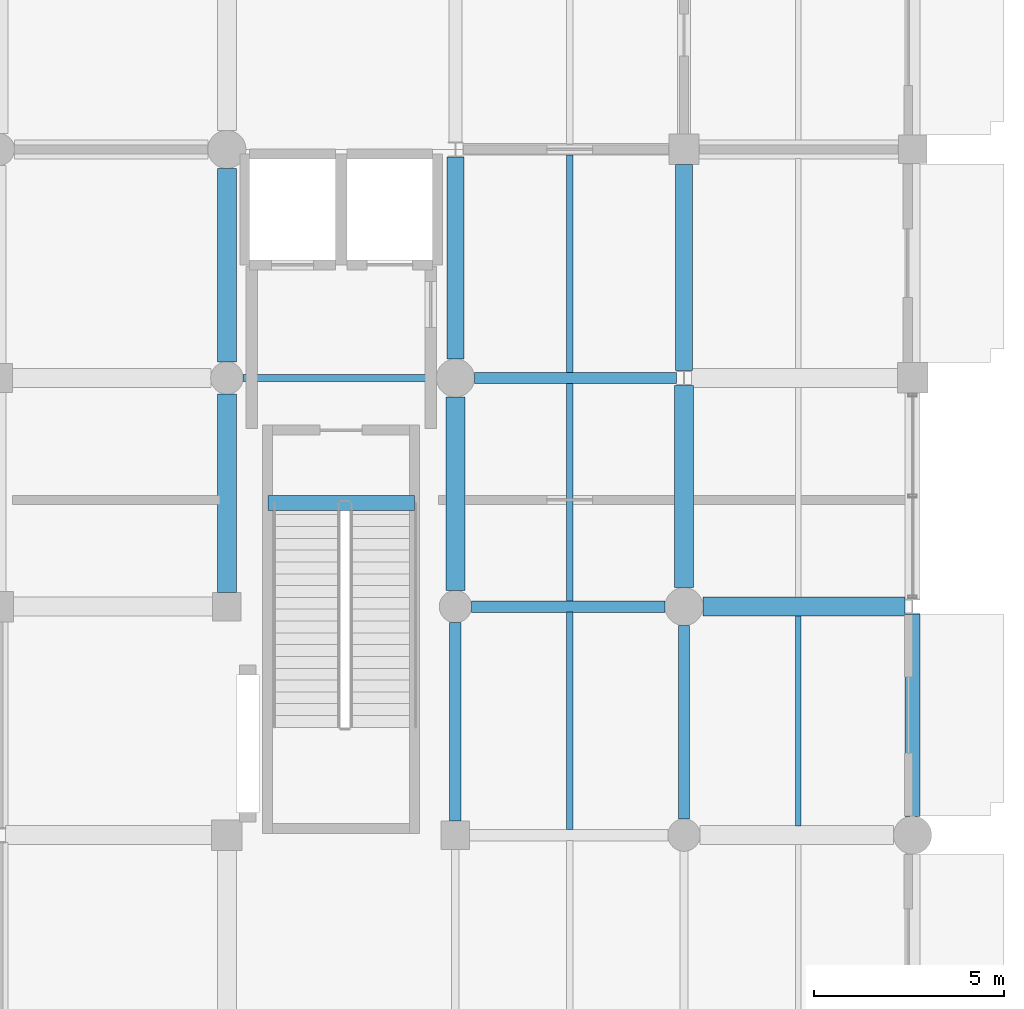
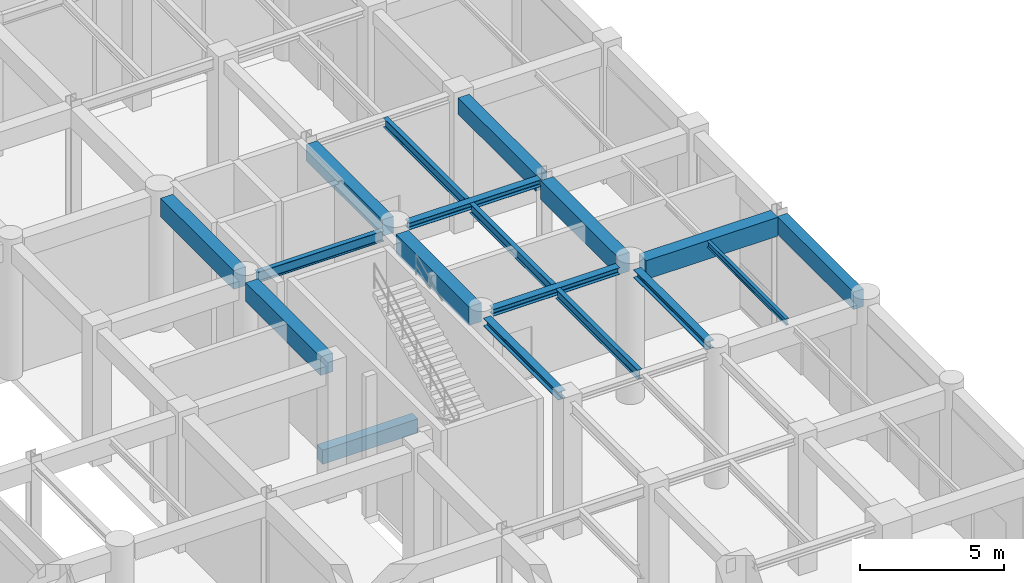
# One storey, part 62 of 106: 18 beams.
"""IFC4 building model written with IfcOpenShell, lengths in metres."""

from ifc_helpers import new_model, si_unit, direction, frame, origin, origin_2d, place, context, subcontext, project, spatial, rectangle, i_section, extrude, material, material_profile, profile_set, type_object, element, save


model = new_model("IFC4")

# Units and contexts
model_context = context("Model", 3, precision=1e-05, world=origin(), true_north=direction((0.0, 1.0)))
body_context = subcontext(model_context, "Body", "Model", "MODEL_VIEW")
ifc_project = project(units=[si_unit("LENGTHUNIT", "METRE"), si_unit("AREAUNIT", "SQUARE_METRE"), si_unit("VOLUMEUNIT", "CUBIC_METRE"), si_unit("PLANEANGLEUNIT", "RADIAN"), si_unit("MASSUNIT", "GRAM", prefix="KILO"), si_unit("THERMODYNAMICTEMPERATUREUNIT", "KELVIN"), si_unit("POWERUNIT", "WATT")], contexts=[model_context])

# Site, building, storey
site_placement = place(None, origin())
site = spatial("IfcSite", under=ifc_project, at=site_placement, CompositionType="ELEMENT")
building_placement = place(site_placement, origin())
building = spatial("IfcBuilding", under=site, at=building_placement, Name="Phaisarnlok Congress Hotel", CompositionType="ELEMENT")
storey_placement = place(building_placement, origin())
storey = spatial("IfcBuildingStorey", under=building, at=storey_placement, Name="L00", CompositionType="ELEMENT", Elevation=0.0)

# Beams
ifc_material_1 = material(Name="Concrete C40/50", Category="concrete")
ifc_material_profile_1 = material_profile(ifc_material_1, rectangle(XDim=0.39990234375, YDim=0.60009765625, at=origin_2d()), Name="RC 400x600")
ifc_profile_set_1 = profile_set([ifc_material_profile_1], Name="Concrete C40/50")
beam_type_1 = type_object("IfcBeamType", Name="BM-RC-400x600", PredefinedType="BEAM", material=ifc_profile_set_1)
beam_1_placement = place(storey_placement, frame((163.080078125, 86.719970703125, -0.300048828125), z_axis=(1.0, 0.0, 0.0), x_axis=(0.0, 1.0, 0.0)))
element("IfcBeam", 1, at=beam_1_placement, inside=storey, type_object=beam_type_1, Name="Stair landing header beam B-02 (CORE-3 L00)", PredefinedType="BEAM", context=body_context, shape_type="SweptSolid", body=[
    extrude(rectangle(XDim=0.39990234375, YDim=0.60009765625, at=origin_2d()), origin(), (0.0, 0.0, 1.0), 3.83984375),
])
ifc_material_profile_2 = material_profile(ifc_material_1, rectangle(XDim=0.449951171875, YDim=0.699951171875, at=origin_2d()), Name="RC 450x700")
ifc_profile_set_2 = profile_set([ifc_material_profile_2], Name="Concrete C40/50")
beam_type_2 = type_object("IfcBeamType", Name="BM-RC-450x700", PredefinedType="BEAM", material=ifc_profile_set_2)
beam_2_placement = place(storey_placement, frame((168.0, 90.4951171875, 5.389892578125), z_axis=(0.0, 1.0, 0.0), x_axis=(-1.0, 0.0, 0.0)))
element("IfcBeam", 2, at=beam_2_placement, inside=storey, type_object=beam_type_2, Name="Beam B-03", PredefinedType="BEAM", context=body_context, shape_type="SweptSolid", body=[
    extrude(rectangle(XDim=0.449951171875, YDim=0.699951171875, at=origin_2d()), origin(), (0.0, 0.0, 1.0), 5.310302734375),
])
beam_3_placement = place(storey_placement, frame((174.0, 90.194580078125, 5.389892578125), z_axis=(0.0, 1.0, 0.0), x_axis=(-1.0, 0.0, 0.0)))
element("IfcBeam", 3, at=beam_3_placement, inside=storey, type_object=beam_type_2, Name="Beam B-03", PredefinedType="BEAM", context=body_context, shape_type="SweptSolid", body=[
    extrude(rectangle(XDim=0.449951171875, YDim=0.699951171875, at=origin_2d()), origin(), (0.0, 0.0, 1.0), 5.410400390625),
])
ifc_material_profile_3 = material_profile(ifc_material_1, rectangle(XDim=0.5, YDim=0.800048828125, at=origin_2d()), Name="RC 500x800")
ifc_profile_set_3 = profile_set([ifc_material_profile_3], Name="Concrete C40/50")
beam_type_3 = type_object("IfcBeamType", Name="BM-RC-500x800", PredefinedType="BEAM", material=ifc_profile_set_3)
beam_4_placement = place(storey_placement, frame((162.0, 84.3701171875, 5.340087890625), z_axis=(0.0, 1.0, 0.0), x_axis=(-1.0, 0.0, 0.0)))
element("IfcBeam", 4, at=beam_4_placement, inside=storey, type_object=beam_type_3, Name="Beam B-04", PredefinedType="BEAM", context=body_context, shape_type="SweptSolid", body=[
    extrude(rectangle(XDim=0.5, YDim=0.800048828125, at=origin_2d()), origin(), (0.0, 0.0, 1.0), 5.2099609375),
])
for number, where, z_axis, x_axis, name in (
    (5, (162.0, 90.419921875, 5.340087890625), (0.0, 1.0, 0.0), (-1.0, 0.0, 0.0), "Beam B-04"),
    (6, (168.0, 84.419921875, 5.340087890625), (0.0, 1.0, 0.0), (-1.0, 0.0, 0.0), "Beam B-04"),
):
    element("IfcBeam", number, at=place(storey_placement, frame(where, z_axis=z_axis, x_axis=x_axis)), inside=storey, type_object=beam_type_3, Name=name, PredefinedType="BEAM", context=body_context, shape_type="SweptSolid", body=[
        extrude(rectangle(XDim=0.5, YDim=0.800048828125, at=origin_2d()), origin(), (0.0, 0.0, 1.0), 5.0849609375),
    ])
beam_5_placement = place(storey_placement, frame((174.4951171875, 84.0, 5.340087890625), z_axis=(1.0, 0.0, 0.0), x_axis=(0.0, 1.0, 0.0)))
element("IfcBeam", 7, at=beam_5_placement, inside=storey, type_object=beam_type_3, Name="Beam B-04", PredefinedType="BEAM", context=body_context, shape_type="SweptSolid", body=[
    extrude(rectangle(XDim=0.5, YDim=0.800048828125, at=origin_2d()), origin(), (0.0, 0.0, 1.0), 5.309326171875),
])
beam_6_placement = place(storey_placement, frame((174.0, 84.4951171875, 5.340087890625), z_axis=(0.0, 1.0, 0.0), x_axis=(-1.0, 0.0, 0.0)))
element("IfcBeam", 8, at=beam_6_placement, inside=storey, type_object=beam_type_3, Name="Beam B-04", PredefinedType="BEAM", context=body_context, shape_type="SweptSolid", body=[
    extrude(rectangle(XDim=0.5, YDim=0.800048828125, at=origin_2d()), origin(), (0.0, 0.0, 1.0), 5.310302734375),
])
ifc_material_2 = material(Name="Steel S355", Category="steel")
ifc_material_profile_4 = material_profile(ifc_material_2, i_section(OverallWidth=0.300048828125, OverallDepth=0.2900390625, WebThickness=0.008544921875, FlangeThickness=0.013916015625, FilletRadius=0.027099609375, at=origin_2d()), Name="HEA 300")
ifc_profile_set_4 = profile_set([ifc_material_profile_4], Name="Steel S355")
beam_type_4 = type_object("IfcBeamType", Name="BM-STL-HEA300", PredefinedType="BEAM", material=ifc_profile_set_4)
beam_7_placement = place(storey_placement, frame((168.419921875, 84.0, 5.594970703125), z_axis=(1.0, 0.0, 0.0), x_axis=(0.0, 1.0, 0.0)))
element("IfcBeam", 9, at=beam_7_placement, inside=storey, type_object=beam_type_4, Name="Beam SB-05", PredefinedType="BEAM", context=body_context, shape_type="SweptSolid", body=[
    extrude(i_section(OverallWidth=0.300048828125, OverallDepth=0.2900390625, WebThickness=0.008544921875, FlangeThickness=0.013916015625, FilletRadius=0.027099609375, at=origin_2d()), origin(), (0.0, 0.0, 1.0), 5.0849609375),
])
beam_8_placement = place(storey_placement, frame((168.4951171875, 90.0, 5.594970703125), z_axis=(1.0, 0.0, 0.0), x_axis=(0.0, 1.0, 0.0)))
element("IfcBeam", 10, at=beam_8_placement, inside=storey, type_object=beam_type_4, Name="Beam SB-05", PredefinedType="BEAM", context=body_context, shape_type="SweptSolid", body=[
    extrude(i_section(OverallWidth=0.300048828125, OverallDepth=0.2900390625, WebThickness=0.008544921875, FlangeThickness=0.013916015625, FilletRadius=0.027099609375, at=origin_2d()), origin(), (0.0, 0.0, 1.0), 5.309326171875),
])
ifc_material_profile_5 = material_profile(ifc_material_2, i_section(OverallWidth=0.300048828125, OverallDepth=0.340087890625, WebThickness=0.011962890625, FlangeThickness=0.021484375, FilletRadius=0.027099609375, at=origin_2d()), Name="HEB 340")
ifc_profile_set_5 = profile_set([ifc_material_profile_5], Name="Steel S355")
beam_type_5 = type_object("IfcBeamType", Name="BM-STL-HEB340", PredefinedType="BEAM", material=ifc_profile_set_5)
beam_9_placement = place(storey_placement, frame((168.0, 78.3701171875, 5.570068359375), z_axis=(0.0, 1.0, 0.0), x_axis=(-1.0, 0.0, 0.0)))
element("IfcBeam", 11, at=beam_9_placement, inside=storey, type_object=beam_type_5, Name="Beam SB-07", PredefinedType="BEAM", context=body_context, shape_type="SweptSolid", body=[
    extrude(i_section(OverallWidth=0.300048828125, OverallDepth=0.340087890625, WebThickness=0.011962890625, FlangeThickness=0.021484375, FilletRadius=0.027099609375, at=origin_2d()), origin(), (0.0, 0.0, 1.0), 5.2099609375),
])
beam_10_placement = place(storey_placement, frame((174.0, 78.419921875, 5.570068359375), z_axis=(0.0, 1.0, 0.0), x_axis=(-1.0, 0.0, 0.0)))
element("IfcBeam", 12, at=beam_10_placement, inside=storey, type_object=beam_type_5, Name="Beam SB-07", PredefinedType="BEAM", context=body_context, shape_type="SweptSolid", body=[
    extrude(i_section(OverallWidth=0.300048828125, OverallDepth=0.340087890625, WebThickness=0.011962890625, FlangeThickness=0.021484375, FilletRadius=0.027099609375, at=origin_2d()), origin(), (0.0, 0.0, 1.0), 5.0849609375),
])
ifc_material_profile_6 = material_profile(ifc_material_2, i_section(OverallWidth=0.18994140625, OverallDepth=0.449951171875, WebThickness=0.009521484375, FlangeThickness=0.0146484375, FilletRadius=0.02099609375, at=origin_2d()), Name="IPE 450")
ifc_profile_set_6 = profile_set([ifc_material_profile_6], Name="Steel S355")
beam_type_6 = type_object("IfcBeamType", Name="BM-STL-IPE450", PredefinedType="BEAM", material=ifc_profile_set_6)
beam_11_placement = place(storey_placement, frame((162.419921875, 90.0, 5.514892578125), z_axis=(1.0, 0.0, 0.0), x_axis=(0.0, 1.0, 0.0)))
element("IfcBeam", 13, at=beam_11_placement, inside=storey, type_object=beam_type_6, Name="Beam SB-01", PredefinedType="BEAM", context=body_context, shape_type="SweptSolid", body=[
    extrude(i_section(OverallWidth=0.18994140625, OverallDepth=0.449951171875, WebThickness=0.009521484375, FlangeThickness=0.0146484375, FilletRadius=0.02099609375, at=origin_2d()), origin(), (0.0, 0.0, 1.0), 5.0849609375),
])
ifc_material_profile_7 = material_profile(ifc_material_2, i_section(OverallWidth=0.135009765625, OverallDepth=0.27001953125, WebThickness=0.006591796875, FlangeThickness=0.01025390625, FilletRadius=0.014892578125, at=origin_2d()), Name="IPE 270")
ifc_profile_set_7 = profile_set([ifc_material_profile_7], Name="Steel S355")
beam_type_7 = type_object("IfcBeamType", Name="JS-STL-IPE270", PredefinedType="JOIST", material=ifc_profile_set_7)
beam_12_placement = place(storey_placement, frame((177.0, 78.2451171875, 5.60498046875), z_axis=(0.0, 1.0, 0.0), x_axis=(-1.0, 0.0, 0.0)))
element("IfcBeam", 14, at=beam_12_placement, inside=storey, type_object=beam_type_7, Name="Secondary floor joist J-02", PredefinedType="JOIST", context=body_context, shape_type="SweptSolid", body=[
    extrude(i_section(OverallWidth=0.135009765625, OverallDepth=0.27001953125, WebThickness=0.006591796875, FlangeThickness=0.01025390625, FilletRadius=0.014892578125, at=origin_2d()), origin(), (0.0, 0.0, 1.0), 5.509765625),
])
ifc_material_profile_8 = material_profile(ifc_material_2, i_section(OverallWidth=0.179931640625, OverallDepth=0.39990234375, WebThickness=0.008544921875, FlangeThickness=0.013427734375, FilletRadius=0.02099609375, at=origin_2d()), Name="IPE 400")
ifc_profile_set_8 = profile_set([ifc_material_profile_8], Name="Steel S355")
beam_type_8 = type_object("IfcBeamType", Name="JS-STL-IPE400", PredefinedType="JOIST", material=ifc_profile_set_8)
for number, where, z_axis, x_axis, name in (
    (15, (171.0, 78.14501953125, 5.5400390625), (0.0, 1.0, 0.0), (-1.0, 0.0, 0.0), "Secondary floor joist J-05"),
    (16, (171.0, 84.14501953125, 5.5400390625), (0.0, 1.0, 0.0), (-1.0, 0.0, 0.0), "Secondary floor joist J-05"),
    (17, (171.0, 90.14501953125, 5.5400390625), (0.0, 1.0, 0.0), (-1.0, 0.0, 0.0), "Secondary floor joist J-05"),
):
    element("IfcBeam", number, at=place(storey_placement, frame(where, z_axis=z_axis, x_axis=x_axis)), inside=storey, type_object=beam_type_8, Name=name, PredefinedType="JOIST", context=body_context, shape_type="SweptSolid", body=[
        extrude(i_section(OverallWidth=0.179931640625, OverallDepth=0.39990234375, WebThickness=0.008544921875, FlangeThickness=0.013427734375, FilletRadius=0.02099609375, at=origin_2d()), origin(), (0.0, 0.0, 1.0), 5.7099609375),
    ])
ifc_material_profile_9 = material_profile(ifc_material_1, rectangle(XDim=0.39990234375, YDim=0.75, at=origin_2d()), Name="RC 400x750")
ifc_profile_set_9 = profile_set([ifc_material_profile_9], Name="Concrete C40/50")
beam_type_9 = type_object("IfcBeamType", Name="SP-RC-400x750", PredefinedType="SPANDREL", material=ifc_profile_set_9)
beam_13_placement = place(storey_placement, frame((180.0, 78.4951171875, 5.364990234375), z_axis=(0.0, 1.0, 0.0), x_axis=(-1.0, 0.0, 0.0)))
element("IfcBeam", 18, at=beam_13_placement, inside=storey, type_object=beam_type_9, Name="Beam SP-02", PredefinedType="SPANDREL", context=body_context, shape_type="SweptSolid", body=[
    extrude(rectangle(XDim=0.39990234375, YDim=0.75, at=origin_2d()), origin(), (0.0, 0.0, 1.0), 5.310302734375),
])

save(model, "model.ifc")
